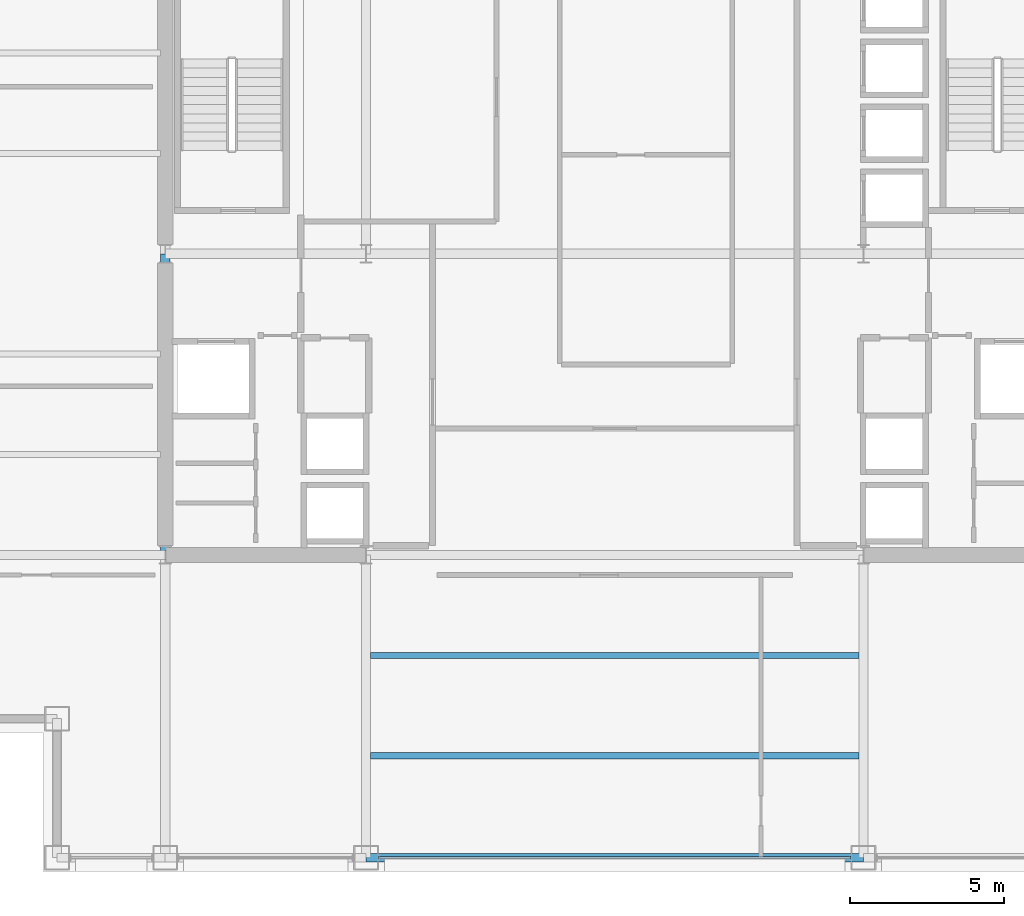
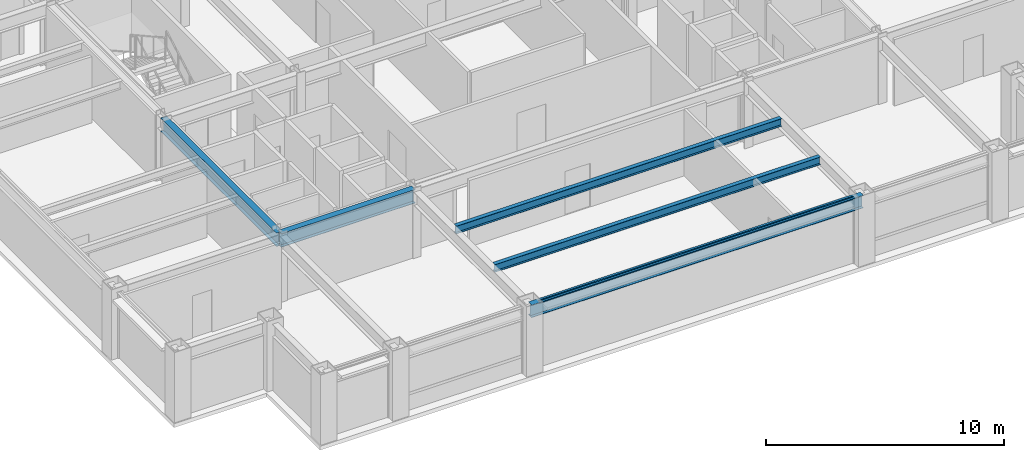
# One storey, part 5 of 29: 5 beams, 1 member, 1 element without a shape of its own.
"""IFC4 building model written with IfcOpenShell, lengths in metres."""

from ifc_helpers import new_model, si_unit, direction, frame, origin, origin_2d, place, context, subcontext, project, spatial, hollow_rectangle, i_section, extrude, material, layer, layer_set, material_profile, profile_set, type_object, element, aggregate, save


model = new_model("IFC4")

# Units and contexts
model_context = context("Model", 3, precision=1e-05, world=origin(), true_north=direction((0.0, 1.0)))
body_context = subcontext(model_context, "Body", "Model", "MODEL_VIEW")
ifc_project = project(units=[si_unit("LENGTHUNIT", "METRE"), si_unit("AREAUNIT", "SQUARE_METRE"), si_unit("VOLUMEUNIT", "CUBIC_METRE"), si_unit("PLANEANGLEUNIT", "RADIAN"), si_unit("MASSUNIT", "GRAM", prefix="KILO")], contexts=[model_context])

# Site, building, storey
site_placement = place(None, origin())
site = spatial("IfcSite", under=ifc_project, at=site_placement, CompositionType="ELEMENT")
building_placement = place(site_placement, origin())
building = spatial("IfcBuilding", under=site, at=building_placement, Name="Brelmoor Portico Tower", CompositionType="ELEMENT")
storey_placement = place(building_placement, frame((0.0, 0.0, 135.0)))
storey = spatial("IfcBuildingStorey", under=building, at=storey_placement, Name="L35", CompositionType="ELEMENT", Elevation=135.0)

# Beams
ifc_material_1 = material(Name="Steel Q355B", Category="steel")
ifc_material_profile_1 = material_profile(ifc_material_1, i_section(OverallWidth=0.199951171875, OverallDepth=0.39990234375, WebThickness=0.008056640625, FlangeThickness=0.012939453125, at=origin_2d()), Name="HN 400x200x8x13")
ifc_profile_set_1 = profile_set([ifc_material_profile_1], Name="Steel Q355B")
beam_type_1 = type_object("IfcBeamType", Name="BM-JS-400", PredefinedType="JOIST", material=ifc_profile_set_1)
for number, where, z_axis, x_axis, name in (
    (1, (-7.89990234375, -16.25, 3.199951171875), (1.0, 0.0, 0.0), (0.0, 1.0, 0.0), "L35 Secondary Composite Joist JS-C01"),
    (2, (-7.89990234375, -13.0, 3.199951171875), (1.0, 0.0, 0.0), (0.0, 1.0, 0.0), "L35 Secondary Composite Joist JS-C02"),
):
    element("IfcBeam", number, at=place(storey_placement, frame(where, z_axis=z_axis, x_axis=x_axis)), inside=storey, type_object=beam_type_1, Name=name, PredefinedType="JOIST", context=body_context, shape_type="SweptSolid", body=[
        extrude(i_section(OverallWidth=0.199951171875, OverallDepth=0.39990234375, WebThickness=0.008056640625, FlangeThickness=0.012939453125, at=origin_2d()), origin(), (0.0, 0.0, 1.0), 15.7998046875),
    ])
ifc_material_profile_2 = material_profile(ifc_material_1, i_section(OverallWidth=0.300048828125, OverallDepth=0.699951171875, WebThickness=0.012939453125, FlangeThickness=0.02392578125, at=origin_2d()), Name="HN 700x300x13x24")
ifc_profile_set_2 = profile_set([ifc_material_profile_2], Name="Steel Q355B")
beam_type_2 = type_object("IfcBeamType", Name="BM-PG-700", PredefinedType="BEAM", material=ifc_profile_set_2)
beam_1_placement = place(storey_placement, frame((-14.550048828125, -9.75, 3.050048828125), z_axis=(0.0, 1.0, 0.0), x_axis=(-1.0, 0.0, 0.0)))
element("IfcBeam", 3, at=beam_1_placement, inside=storey, type_object=beam_type_2, Name="L35 Primary Floor Girder PG-02", PredefinedType="BEAM", context=body_context, shape_type="SweptSolid", body=[
    extrude(i_section(OverallWidth=0.300048828125, OverallDepth=0.699951171875, WebThickness=0.012939453125, FlangeThickness=0.02392578125, at=origin_2d()), origin(), (0.0, 0.0, 1.0), 9.75),
])
beam_2_placement = place(storey_placement, frame((-14.550048828125, -9.75, 3.050048828125), z_axis=(1.0, 0.0, 0.0), x_axis=(0.0, 1.0, 0.0)))
element("IfcBeam", 4, at=beam_2_placement, inside=storey, type_object=beam_type_2, Name="L35 Primary Floor Girder PG-15", PredefinedType="BEAM", context=body_context, shape_type="SweptSolid", body=[
    extrude(i_section(OverallWidth=0.300048828125, OverallDepth=0.699951171875, WebThickness=0.012939453125, FlangeThickness=0.02392578125, at=origin_2d()), origin(), (0.0, 0.0, 1.0), 6.5),
])
ifc_material_profile_3 = material_profile(ifc_material_1, i_section(OverallWidth=0.280029296875, OverallDepth=0.64990234375, WebThickness=0.012939453125, FlangeThickness=0.02197265625, at=origin_2d()), Name="HN 650x280x13x22")
ifc_profile_set_3 = profile_set([ifc_material_profile_3], Name="Steel Q355B")
beam_type_3 = type_object("IfcBeamType", Name="BM-SP-650", PredefinedType="SPANDREL", material=ifc_profile_set_3)
beam_3_placement = place(storey_placement, frame((-8.050048828125, -19.550048828125, 3.074951171875), z_axis=(1.0, 0.0, 0.0), x_axis=(0.0, 1.0, 0.0)))
element("IfcBeam", 5, at=beam_3_placement, inside=storey, type_object=beam_type_3, Name="L35 Perimeter Spandrel Beam SP-03", PredefinedType="SPANDREL", context=body_context, shape_type="SweptSolid", body=[
    extrude(i_section(OverallWidth=0.280029296875, OverallDepth=0.64990234375, WebThickness=0.012939453125, FlangeThickness=0.02197265625, at=origin_2d()), origin(), (0.0, 0.0, 1.0), 16.10009765625),
])

# Curtain wall, member
ifc_material_2 = material(Name="Anodised Aluminium Alloy 6063-T6", Category="aluminium")
ifc_layer = layer(ifc_material_2, 0.179931640625)
ifc_layer_set = layer_set([ifc_layer], Name="Anodised Aluminium Alloy 6063-T6")
curtain_wall_type = type_object("IfcCurtainWallType", Name="CW-TOWER-Z2-XB", PredefinedType="NOTDEFINED", material=ifc_layer_set)
curtain_wall_placement = place(storey_placement, origin())
curtain_wall = element("IfcCurtainWall", 6, at=curtain_wall_placement, inside=storey, type_object=curtain_wall_type, Name="L35 Curtain Wall CW-L35-01-3", PredefinedType="NOTDEFINED")
ifc_material_profile_4 = material_profile(ifc_material_2, hollow_rectangle(XDim=0.06494140625, YDim=0.139892578125, WallThickness=0.00390625, at=origin_2d()), Name="ALU TRANSOM 65x140")
ifc_profile_set_4 = profile_set([ifc_material_profile_4], Name="Anodised Aluminium Alloy 6063-T6")
member_type = type_object("IfcMemberType", Name="MB-CW-TRAN-140", PredefinedType="USERDEFINED", material=ifc_profile_set_4)
member_placement = place(storey_placement, frame((-7.639892578125, -19.550048828125, 3.330078125), z_axis=(1.0, 0.0, 0.0), x_axis=(0.0, 1.0, 0.0)))
member = element("IfcMember", 7, at=member_placement, type_object=member_type, Name="CW-L35-01-3 Transom 1-00", ObjectType="TRANSOM", PredefinedType="USERDEFINED", context=body_context, shape_type="SweptSolid", body=[
    extrude(hollow_rectangle(XDim=0.06494140625, YDim=0.139892578125, WallThickness=0.00390625, at=origin_2d()), origin(), (0.0, 0.0, 1.0), 15.27978515625),
])
aggregate(curtain_wall, [member])

save(model, "model.ifc")
